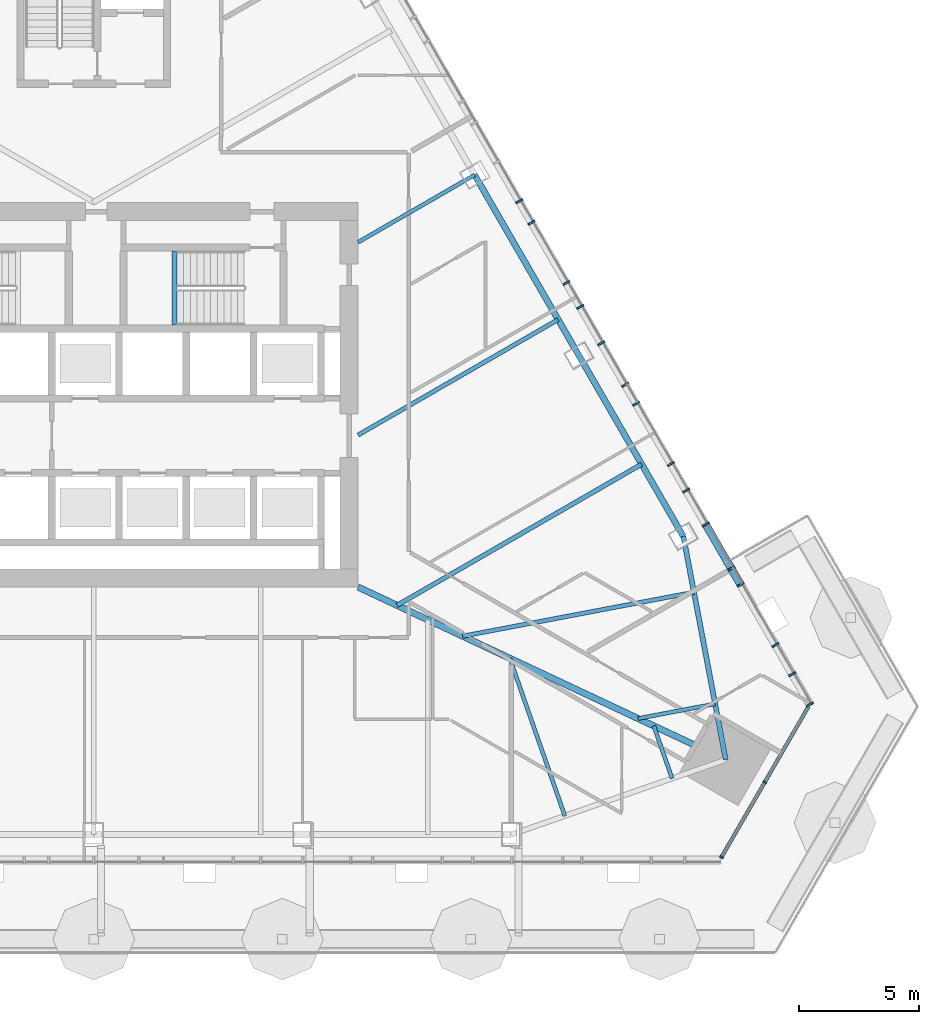
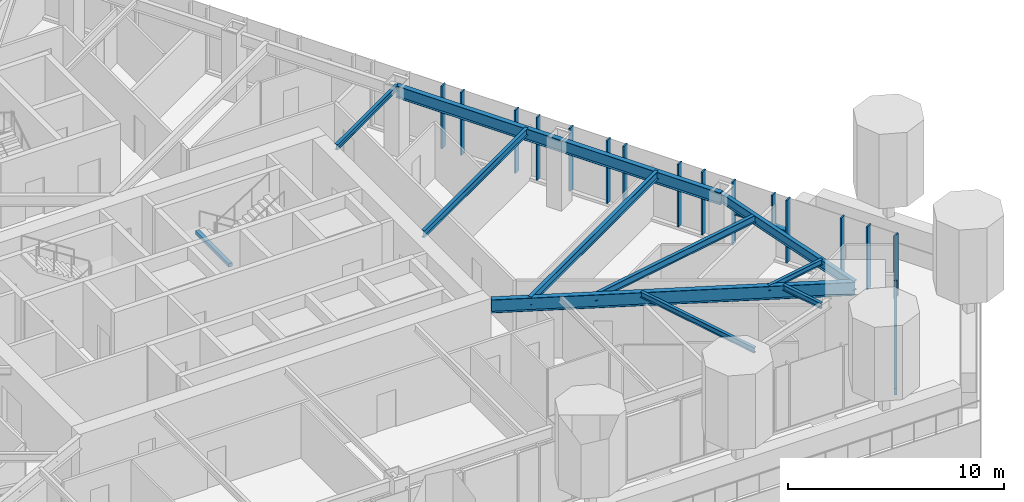
# One storey, part 5 of 24: 19 members, 11 beams, 2 elements without a shape of their own.
"""IFC4 building model written with IfcOpenShell, lengths in metres."""

from ifc_helpers import new_model, si_unit, direction, frame, origin, origin_2d, place, context, subcontext, project, spatial, rectangle, i_section, extrude, material, layer, layer_set, material_profile, profile_set, type_object, element, aggregate, save


model = new_model("IFC4")

# Units and contexts
model_context = context("Model", 3, precision=1e-05, world=origin(), true_north=direction((0.0, 1.0)))
body_context = subcontext(model_context, "Body", "Model", "MODEL_VIEW")
ifc_project = project(units=[si_unit("LENGTHUNIT", "METRE"), si_unit("AREAUNIT", "SQUARE_METRE"), si_unit("VOLUMEUNIT", "CUBIC_METRE"), si_unit("PLANEANGLEUNIT", "RADIAN"), si_unit("MASSUNIT", "GRAM", prefix="KILO")], contexts=[model_context])

# Site, building, storey
site_placement = place(None, origin())
site = spatial("IfcSite", under=ifc_project, at=site_placement, CompositionType="ELEMENT")
building_placement = place(site_placement, origin())
building = spatial("IfcBuilding", under=site, at=building_placement, Name="Firuza Gate Tower and Library", CompositionType="ELEMENT")
storey_placement = place(building_placement, frame((0.0, 0.0, 194.800048828125)))
storey = spatial("IfcBuildingStorey", under=building, at=storey_placement, Name="L45", CompositionType="ELEMENT", Elevation=194.800048828125)

# Curtain wall, members
ifc_material_1 = material(Name="Aluminium 6063-T6", Category="aluminium")
ifc_layer_1 = layer(ifc_material_1, 0.14990234375)
ifc_layer_set_1 = layer_set([ifc_layer_1], Name="Corner curtain wall, chamfers")
curtain_wall_type_1 = type_object("IfcCurtainWallType", Name="Corner curtain wall, chamfers", PredefinedType="NOTDEFINED", material=ifc_layer_set_1)
placement = place(storey_placement, origin())
curtain_wall_1 = element("IfcCurtainWall", 1, at=placement, inside=storey, type_object=curtain_wall_type_1, Name="CW4 L45 SE corner", PredefinedType="NOTDEFINED")
ifc_material_2 = material(Name="Aluminium 6063-T6", Category="aluminium")
ifc_material_profile_1 = material_profile(ifc_material_2, rectangle(XDim=0.14990234375, YDim=0.080078125, at=origin_2d()))
ifc_profile_set_1 = profile_set([ifc_material_profile_1], Name="Aluminium 6063-T6")
member_type_1 = type_object("IfcMemberType", Name="Curtain wall mullion 80x150", PredefinedType="MULLION", material=ifc_profile_set_1)
member_1_placement = place(storey_placement, frame((101.12060546875, 55.758544921875, 0.14990234375), z_axis=(0.0, 0.0, 1.0), x_axis=(-0.866025403784, 0.5, 0.0)))
member_1 = element("IfcMember", 2, at=member_1_placement, type_object=member_type_1, Name="Mullion", PredefinedType="MULLION", context=body_context, shape_type="SweptSolid", body=[
    extrude(rectangle(XDim=0.14990234375, YDim=0.080078125, at=origin_2d()), origin(), (0.0, 0.0, 1.0), 3.550048828125),
])
member_2_placement = place(storey_placement, frame((102.92236328125, 58.879150390625, 0.14990234375), z_axis=(0.0, 0.0, 1.0), x_axis=(-0.866025403784, 0.5, 0.0)))
member_2 = element("IfcMember", 3, at=member_2_placement, type_object=member_type_1, Name="Mullion", PredefinedType="MULLION", context=body_context, shape_type="SweptSolid", body=[
    extrude(rectangle(XDim=0.14990234375, YDim=0.080078125, at=origin_2d()), origin(), (0.0, 0.0, 1.0), 3.550048828125),
])

ifc_material_3 = material(Name="Aluminium 6063-T6", Category="aluminium")
ifc_layer_2 = layer(ifc_material_3, 0.14990234375)
ifc_layer_set_2 = layer_set([ifc_layer_2], Name="Unitised curtain wall, hotel")
curtain_wall_type_2 = type_object("IfcCurtainWallType", Name="Unitised curtain wall, hotel", PredefinedType="NOTDEFINED", material=ifc_layer_set_2)
curtain_wall_2 = element("IfcCurtainWall", 4, at=placement, inside=storey, type_object=curtain_wall_type_2, Name="CW2 L45 E face", PredefinedType="NOTDEFINED")
ifc_material_4 = material(Name="Aluminium 6063-T6", Category="aluminium")
ifc_material_profile_2 = material_profile(ifc_material_4, rectangle(XDim=0.320068359375, YDim=0.080078125, at=origin_2d()))
ifc_profile_set_2 = profile_set([ifc_material_profile_2], Name="Aluminium 6063-T6")
member_type_2 = type_object("IfcMemberType", Name="Curtain wall mullion 80x320", PredefinedType="MULLION", material=ifc_profile_set_2)
member_3_placement = place(storey_placement, frame((104.797607421875, 62.111328125, 0.14990234375), z_axis=(0.0, 0.0, 1.0), x_axis=(-0.866025403784, -0.5, 0.0)))
member_3 = element("IfcMember", 5, at=member_3_placement, type_object=member_type_2, Name="Mullion", PredefinedType="MULLION", context=body_context, shape_type="SweptSolid", body=[
    extrude(rectangle(XDim=0.320068359375, YDim=0.080078125, at=origin_2d()), origin(), (0.0, 0.0, 1.0), 3.550048828125),
])
member_4_placement = place(storey_placement, frame((103.367431640625, 64.58837890625, 0.14990234375), z_axis=(0.0, 0.0, 1.0), x_axis=(-0.866025403784, -0.5, 0.0)))
member_4 = element("IfcMember", 6, at=member_4_placement, type_object=member_type_2, Name="Mullion", PredefinedType="MULLION", context=body_context, shape_type="SweptSolid", body=[
    extrude(rectangle(XDim=0.320068359375, YDim=0.080078125, at=origin_2d()), origin(), (0.0, 0.0, 1.0), 3.550048828125),
])
member_5_placement = place(storey_placement, frame((101.91748046875, 67.099853515625, 0.14990234375), z_axis=(0.0, 0.0, 1.0), x_axis=(-0.866025403784, -0.5, 0.0)))
member_5 = element("IfcMember", 7, at=member_5_placement, type_object=member_type_2, Name="Mullion", PredefinedType="MULLION", context=body_context, shape_type="SweptSolid", body=[
    extrude(rectangle(XDim=0.320068359375, YDim=0.080078125, at=origin_2d()), origin(), (0.0, 0.0, 1.0), 3.550048828125),
])
member_6_placement = place(storey_placement, frame((100.467529296875, 69.611328125, 0.14990234375), z_axis=(0.0, 0.0, 1.0), x_axis=(-0.866025403784, -0.5, 0.0)))
member_6 = element("IfcMember", 8, at=member_6_placement, type_object=member_type_2, Name="Mullion", PredefinedType="MULLION", context=body_context, shape_type="SweptSolid", body=[
    extrude(rectangle(XDim=0.320068359375, YDim=0.080078125, at=origin_2d()), origin(), (0.0, 0.0, 1.0), 3.550048828125),
])
member_7_placement = place(storey_placement, frame((99.017333984375, 72.122802734375, 0.14990234375), z_axis=(0.0, 0.0, 1.0), x_axis=(-0.866025403784, -0.5, 0.0)))
member_7 = element("IfcMember", 9, at=member_7_placement, type_object=member_type_2, Name="Mullion", PredefinedType="MULLION", context=body_context, shape_type="SweptSolid", body=[
    extrude(rectangle(XDim=0.320068359375, YDim=0.080078125, at=origin_2d()), origin(), (0.0, 0.0, 1.0), 3.550048828125),
])
member_8_placement = place(storey_placement, frame((97.5673828125, 74.634521484375, 0.14990234375), z_axis=(0.0, 0.0, 1.0), x_axis=(-0.866025403784, -0.5, 0.0)))
member_8 = element("IfcMember", 10, at=member_8_placement, type_object=member_type_2, Name="Mullion", PredefinedType="MULLION", context=body_context, shape_type="SweptSolid", body=[
    extrude(rectangle(XDim=0.320068359375, YDim=0.080078125, at=origin_2d()), origin(), (0.0, 0.0, 1.0), 3.550048828125),
])
member_9_placement = place(storey_placement, frame((96.117431640625, 77.14599609375, 0.14990234375), z_axis=(0.0, 0.0, 1.0), x_axis=(-0.866025403784, -0.5, 0.0)))
member_9 = element("IfcMember", 11, at=member_9_placement, type_object=member_type_2, Name="Mullion", PredefinedType="MULLION", context=body_context, shape_type="SweptSolid", body=[
    extrude(rectangle(XDim=0.320068359375, YDim=0.080078125, at=origin_2d()), origin(), (0.0, 0.0, 1.0), 3.550048828125),
])
member_10_placement = place(storey_placement, frame((94.667236328125, 79.657470703125, 0.14990234375), z_axis=(0.0, 0.0, 1.0), x_axis=(-0.866025403784, -0.5, 0.0)))
member_10 = element("IfcMember", 12, at=member_10_placement, type_object=member_type_2, Name="Mullion", PredefinedType="MULLION", context=body_context, shape_type="SweptSolid", body=[
    extrude(rectangle(XDim=0.320068359375, YDim=0.080078125, at=origin_2d()), origin(), (0.0, 0.0, 1.0), 3.550048828125),
])
member_11_placement = place(storey_placement, frame((93.21728515625, 82.1689453125, 0.14990234375), z_axis=(0.0, 0.0, 1.0), x_axis=(-0.866025403784, -0.5, 0.0)))
member_11 = element("IfcMember", 13, at=member_11_placement, type_object=member_type_2, Name="Mullion", PredefinedType="MULLION", context=body_context, shape_type="SweptSolid", body=[
    extrude(rectangle(XDim=0.320068359375, YDim=0.080078125, at=origin_2d()), origin(), (0.0, 0.0, 1.0), 3.550048828125),
])
member_12_placement = place(storey_placement, frame((104.067138671875, 63.376708984375, 0.14990234375), z_axis=(0.0, 0.0, 1.0), x_axis=(-0.866025403784, -0.5, 0.0)))
member_12 = element("IfcMember", 14, at=member_12_placement, type_object=member_type_2, Name="Mullion", PredefinedType="MULLION", context=body_context, shape_type="SweptSolid", body=[
    extrude(rectangle(XDim=0.320068359375, YDim=0.080078125, at=origin_2d()), origin(), (0.0, 0.0, 1.0), 3.550048828125),
])
member_13_placement = place(storey_placement, frame((101.527099609375, 67.776123046875, 1.96484375), z_axis=(0.0, 0.0, 1.0), x_axis=(-0.866025403784, -0.5, 0.0)))
member_13 = element("IfcMember", 15, at=member_13_placement, type_object=member_type_2, Name="Mullion", PredefinedType="MULLION", context=body_context, shape_type="SweptSolid", body=[
    extrude(rectangle(XDim=0.320068359375, YDim=0.080078125, at=origin_2d()), origin(), (0.0, 0.0, 1.0), 1.735107421875),
])
member_14_placement = place(storey_placement, frame((99.655029296875, 71.018310546875, 0.14990234375), z_axis=(0.0, 0.0, 1.0), x_axis=(-0.866025403784, -0.5, 0.0)))
member_14 = element("IfcMember", 16, at=member_14_placement, type_object=member_type_2, Name="Mullion", PredefinedType="MULLION", context=body_context, shape_type="SweptSolid", body=[
    extrude(rectangle(XDim=0.320068359375, YDim=0.080078125, at=origin_2d()), origin(), (0.0, 0.0, 1.0), 3.550048828125),
])
member_15_placement = place(storey_placement, frame((97.115234375, 75.417724609375, 0.14990234375), z_axis=(0.0, 0.0, 1.0), x_axis=(-0.866025403784, -0.5, 0.0)))
member_15 = element("IfcMember", 17, at=member_15_placement, type_object=member_type_2, Name="Mullion", PredefinedType="MULLION", context=body_context, shape_type="SweptSolid", body=[
    extrude(rectangle(XDim=0.320068359375, YDim=0.080078125, at=origin_2d()), origin(), (0.0, 0.0, 1.0), 3.550048828125),
])
member_16_placement = place(storey_placement, frame((95.2431640625, 78.66015625, 0.14990234375), z_axis=(0.0, 0.0, 1.0), x_axis=(-0.866025403784, -0.5, 0.0)))
member_16 = element("IfcMember", 18, at=member_16_placement, type_object=member_type_2, Name="Mullion", PredefinedType="MULLION", context=body_context, shape_type="SweptSolid", body=[
    extrude(rectangle(XDim=0.320068359375, YDim=0.080078125, at=origin_2d()), origin(), (0.0, 0.0, 1.0), 3.550048828125),
])
member_17_placement = place(storey_placement, frame((92.703125, 83.059326171875, 0.14990234375), z_axis=(0.0, 0.0, 1.0), x_axis=(-0.866025403784, -0.5, 0.0)))
member_17 = element("IfcMember", 19, at=member_17_placement, type_object=member_type_2, Name="Mullion", PredefinedType="MULLION", context=body_context, shape_type="SweptSolid", body=[
    extrude(rectangle(XDim=0.320068359375, YDim=0.080078125, at=origin_2d()), origin(), (0.0, 0.0, 1.0), 3.550048828125),
])

# Member
ifc_material_5 = material(Name="Aluminium 6063-T6", Category="aluminium")
ifc_material_profile_3 = material_profile(ifc_material_5, rectangle(XDim=0.14990234375, YDim=0.35009765625, at=origin_2d()))
ifc_profile_set_3 = profile_set([ifc_material_profile_3], Name="Aluminium 6063-T6")
member_type_3 = type_object("IfcMemberType", Name="Curtain wall transom 350x150", PredefinedType="USERDEFINED", material=ifc_profile_set_3)
member_18_placement = place(storey_placement, frame((101.1005859375, 55.723876953125, -0.025146484375), z_axis=(0.500005719219, 0.866022101766, 0.0), x_axis=(-0.866022101766, 0.500005719219, 0.0)))
member_18 = element("IfcMember", 20, at=member_18_placement, type_object=member_type_3, Name="Transom", ObjectType="TRANSOM", PredefinedType="USERDEFINED", context=body_context, shape_type="SweptSolid", body=[
    extrude(rectangle(XDim=0.14990234375, YDim=0.35009765625, at=origin_2d()), origin(), (0.0, 0.0, 1.0), 7.28662109375),
])

aggregate(curtain_wall_1, [member_1, member_2, member_18])

ifc_material_6 = material(Name="Aluminium 6063-T6", Category="aluminium")
ifc_material_profile_4 = material_profile(ifc_material_6, rectangle(XDim=0.320068359375, YDim=0.080078125, at=origin_2d()))
ifc_profile_set_4 = profile_set([ifc_material_profile_4], Name="Aluminium 6063-T6")
member_type_4 = type_object("IfcMemberType", Name="Curtain wall transom 80x320", PredefinedType="USERDEFINED", material=ifc_profile_set_4)
member_19_placement = place(storey_placement, frame((101.8974609375, 67.134521484375, 1.925048828125), z_axis=(-0.499984757355, 0.866034203951, 0.0), x_axis=(-0.866034203951, -0.499984757355, 0.0)))
member_19 = element("IfcMember", 21, at=member_19_placement, type_object=member_type_4, Name="Transom", ObjectType="TRANSOM", PredefinedType="USERDEFINED", context=body_context, shape_type="SweptSolid", body=[
    extrude(rectangle(XDim=0.320068359375, YDim=0.080078125, at=origin_2d()), origin(), (0.0, 0.0, 1.0), 2.81982421875),
])

aggregate(curtain_wall_2, [member_3, member_4, member_5, member_6, member_7, member_8, member_9, member_10, member_11, member_12, member_13, member_19, member_14, member_15, member_16, member_17])

# Beams
ifc_material_7 = material(Name="Concrete C35/45", Category="concrete")
ifc_material_profile_5 = material_profile(ifc_material_7, rectangle(XDim=0.199951171875, YDim=0.199951171875, at=origin_2d()))
ifc_profile_set_5 = profile_set([ifc_material_profile_5], Name="Concrete C35/45")
beam_type_1 = type_object("IfcBeamType", Name="Stair landing bearer 200x200", PredefinedType="BEAM", material=ifc_profile_set_5)
beam_1_placement = place(storey_placement, frame((78.360107421875, 80.97998046875, 1.64990234375), z_axis=(0.0, -1.0, 0.0), x_axis=(1.0, 0.0, 0.0)))
element("IfcBeam", 22, at=beam_1_placement, inside=storey, type_object=beam_type_1, Name="Landing bearer L45 stair 2", PredefinedType="BEAM", context=body_context, shape_type="SweptSolid", body=[
    extrude(rectangle(XDim=0.199951171875, YDim=0.199951171875, at=origin_2d()), origin(), (0.0, 0.0, 1.0), 3.080078125),
])
ifc_material_8 = material(Name="Steel S355", Category="steel")
ifc_material_profile_6 = material_profile(ifc_material_8, i_section(OverallWidth=0.1650390625, OverallDepth=0.31005859375, WebThickness=0.005859375, FlangeThickness=0.009765625, at=origin_2d()))
ifc_profile_set_6 = profile_set([ifc_material_profile_6], Name="Steel S355")
beam_type_2 = type_object("IfcBeamType", Name="W310x39 Floor beam", PredefinedType="JOIST", material=ifc_profile_set_6)
beam_2_placement = place(storey_placement, frame((94.603271484375, 57.478271484375, 3.544921875), z_axis=(-0.329703718894, 0.944084454775, 0.0), x_axis=(-0.944084454775, -0.329703718894, 0.0)))
element("IfcBeam", 23, at=beam_2_placement, inside=storey, type_object=beam_type_2, Name="Floor beam L45 s30", PredefinedType="JOIST", context=body_context, shape_type="SweptSolid", body=[
    extrude(i_section(OverallWidth=0.1650390625, OverallDepth=0.31005859375, WebThickness=0.005859375, FlangeThickness=0.009765625, at=origin_2d()), origin(), (0.0, 0.0, 1.0), 6.94580078125),
])
beam_3_placement = place(storey_placement, frame((99.06689453125, 59.037109375, 3.544921875), z_axis=(-0.329735047073, 0.944073513415, 0.0), x_axis=(-0.944073513415, -0.329735047073, 0.0)))
element("IfcBeam", 24, at=beam_3_placement, inside=storey, type_object=beam_type_2, Name="Floor beam L45 s31", PredefinedType="JOIST", context=body_context, shape_type="SweptSolid", body=[
    extrude(i_section(OverallWidth=0.1650390625, OverallDepth=0.31005859375, WebThickness=0.005859375, FlangeThickness=0.009765625, at=origin_2d()), origin(), (0.0, 0.0, 1.0), 2.315185546875),
])
beam_4_placement = place(storey_placement, frame((100.857666015625, 62.138916015625, 3.544921875), z_axis=(-0.98246268216, -0.186459320395, 0.0), x_axis=(0.186459320395, -0.98246268216, 0.0)))
element("IfcBeam", 25, at=beam_4_placement, inside=storey, type_object=beam_type_2, Name="Floor beam L45 s40", PredefinedType="JOIST", context=body_context, shape_type="SweptSolid", body=[
    extrude(i_section(OverallWidth=0.1650390625, OverallDepth=0.31005859375, WebThickness=0.005859375, FlangeThickness=0.009765625, at=origin_2d()), origin(), (0.0, 0.0, 1.0), 3.265625),
])
beam_5_placement = place(storey_placement, frame((90.849365234375, 84.150634765625, 3.544921875), z_axis=(-0.866023674378, -0.500002995407, 0.0), x_axis=(0.500002995407, -0.866023674378, 0.0)))
element("IfcBeam", 26, at=beam_5_placement, inside=storey, type_object=beam_type_2, Name="Floor beam L45 s52", PredefinedType="JOIST", context=body_context, shape_type="SweptSolid", body=[
    extrude(i_section(OverallWidth=0.1650390625, OverallDepth=0.31005859375, WebThickness=0.005859375, FlangeThickness=0.009765625, at=origin_2d()), origin(), (0.0, 0.0, 1.0), 5.599609375),
])
ifc_material_9 = material(Name="Steel S355", Category="steel")
ifc_material_profile_7 = material_profile(ifc_material_9, i_section(OverallWidth=0.177978515625, OverallDepth=0.406982421875, WebThickness=0.0078125, FlangeThickness=0.0126953125, at=origin_2d()))
ifc_profile_set_7 = profile_set([ifc_material_profile_7], Name="Steel S355")
beam_type_3 = type_object("IfcBeamType", Name="W410x60 Floor beam", PredefinedType="JOIST", material=ifc_profile_set_7)
beam_6_placement = place(storey_placement, frame((99.975830078125, 66.783935546875, 3.496337890625), z_axis=(-0.982452683622, -0.18651199544, 0.0), x_axis=(0.18651199544, -0.982452683622, 0.0)))
element("IfcBeam", 27, at=beam_6_placement, inside=storey, type_object=beam_type_3, Name="Floor beam L45 s41", PredefinedType="JOIST", context=body_context, shape_type="SweptSolid", body=[
    extrude(i_section(OverallWidth=0.177978515625, OverallDepth=0.406982421875, WebThickness=0.0078125, FlangeThickness=0.0126953125, at=origin_2d()), origin(), (0.0, 0.0, 1.0), 9.79638671875),
])
beam_7_placement = place(storey_placement, frame((94.323486328125, 78.1328125, 3.496337890625), z_axis=(-0.866021034044, -0.500007568537, 0.0), x_axis=(0.500007568537, -0.866021034044, 0.0)))
element("IfcBeam", 28, at=beam_7_placement, inside=storey, type_object=beam_type_3, Name="Floor beam L45 s51", PredefinedType="JOIST", context=body_context, shape_type="SweptSolid", body=[
    extrude(i_section(OverallWidth=0.177978515625, OverallDepth=0.406982421875, WebThickness=0.0078125, FlangeThickness=0.0126953125, at=origin_2d()), origin(), (0.0, 0.0, 1.0), 9.611083984375),
])
ifc_material_10 = material(Name="Steel S355", Category="steel")
ifc_material_profile_8 = material_profile(ifc_material_10, i_section(OverallWidth=0.18994140625, OverallDepth=0.45703125, WebThickness=0.009033203125, FlangeThickness=0.014404296875, at=origin_2d()))
ifc_profile_set_8 = profile_set([ifc_material_profile_8], Name="Steel S355")
beam_type_4 = type_object("IfcBeamType", Name="W460x74 Floor beam", PredefinedType="JOIST", material=ifc_profile_set_8)
beam_8_placement = place(storey_placement, frame((97.7978515625, 72.115234375, 3.471435546875), z_axis=(-0.866025409827, -0.499999989534, 0.0), x_axis=(0.499999989534, -0.866025409827, 0.0)))
element("IfcBeam", 29, at=beam_8_placement, inside=storey, type_object=beam_type_4, Name="Floor beam L45 s50", PredefinedType="JOIST", context=body_context, shape_type="SweptSolid", body=[
    extrude(i_section(OverallWidth=0.18994140625, OverallDepth=0.45703125, WebThickness=0.009033203125, FlangeThickness=0.014404296875, at=origin_2d()), origin(), (0.0, 0.0, 1.0), 11.751953125),
])
ifc_material_11 = material(Name="Steel S355", Category="steel")
ifc_material_profile_9 = material_profile(ifc_material_11, i_section(OverallWidth=0.212890625, OverallDepth=0.5390625, WebThickness=0.01171875, FlangeThickness=0.018798828125, at=origin_2d()))
ifc_profile_set_9 = profile_set([ifc_material_profile_9], Name="Steel S355")
beam_type_5 = type_object("IfcBeamType", Name="W530x109 Edge beam", PredefinedType="SPANDREL", material=ifc_profile_set_9)
beam_9_placement = place(storey_placement, frame((101.298583984375, 59.816650390625, 3.430419921875), z_axis=(-0.186493929344, 0.982456113176, 0.0), x_axis=(-0.982456113176, -0.186493929344, 0.0)))
element("IfcBeam", 30, at=beam_9_placement, inside=storey, type_object=beam_type_5, Name="Edge beam L45 e40", PredefinedType="SPANDREL", context=body_context, shape_type="SweptSolid", body=[
    extrude(i_section(OverallWidth=0.212890625, OverallDepth=0.5390625, WebThickness=0.01171875, FlangeThickness=0.018798828125, at=origin_2d()), origin(), (0.0, 0.0, 1.0), 9.45556640625),
])
ifc_material_12 = material(Name="Steel S355", Category="steel")
ifc_material_profile_10 = material_profile(ifc_material_12, i_section(OverallWidth=0.2529296875, OverallDepth=0.677978515625, WebThickness=0.01171875, FlangeThickness=0.016357421875, at=origin_2d()))
ifc_profile_set_10 = profile_set([ifc_material_profile_10], Name="Steel S355")
beam_type_6 = type_object("IfcBeamType", Name="W690x125 Edge beam", PredefinedType="SPANDREL", material=ifc_profile_set_10)
beam_10_placement = place(storey_placement, frame((99.53515625, 69.1064453125, 3.36083984375), z_axis=(-0.500001044169, 0.866024800932, 0.0), x_axis=(-0.866024800932, -0.500001044169, 0.0)))
element("IfcBeam", 31, at=beam_10_placement, inside=storey, type_object=beam_type_6, Name="Edge beam L45 e50", PredefinedType="SPANDREL", context=body_context, shape_type="SweptSolid", body=[
    extrude(i_section(OverallWidth=0.2529296875, OverallDepth=0.677978515625, WebThickness=0.01171875, FlangeThickness=0.016357421875, at=origin_2d()), origin(), (0.0, 0.0, 1.0), 17.37158203125),
])
ifc_material_13 = material(Name="Steel S355", Category="steel")
ifc_material_profile_11 = material_profile(ifc_material_13, i_section(OverallWidth=0.264892578125, OverallDepth=0.7529296875, WebThickness=0.01318359375, FlangeThickness=0.01708984375, at=origin_2d()))
ifc_profile_set_11 = profile_set([ifc_material_profile_11], Name="Steel S355")
beam_type_7 = type_object("IfcBeamType", Name="W760x147 Girder", PredefinedType="BEAM", material=ifc_profile_set_11)
beam_11_placement = place(storey_placement, frame((101.298583984375, 59.816650390625, 3.323486328125), z_axis=(-0.905182734973, 0.425022606819, 0.0), x_axis=(-0.425022606819, -0.905182734973, 0.0)))
element("IfcBeam", 32, at=beam_11_placement, inside=storey, type_object=beam_type_7, Name="Girder L45 gSE", PredefinedType="BEAM", context=body_context, shape_type="SweptSolid", body=[
    extrude(i_section(OverallWidth=0.264892578125, OverallDepth=0.7529296875, WebThickness=0.01318359375, FlangeThickness=0.01708984375, at=origin_2d()), origin(), (0.0, 0.0, 1.0), 16.901123046875),
])

save(model, "model.ifc")
